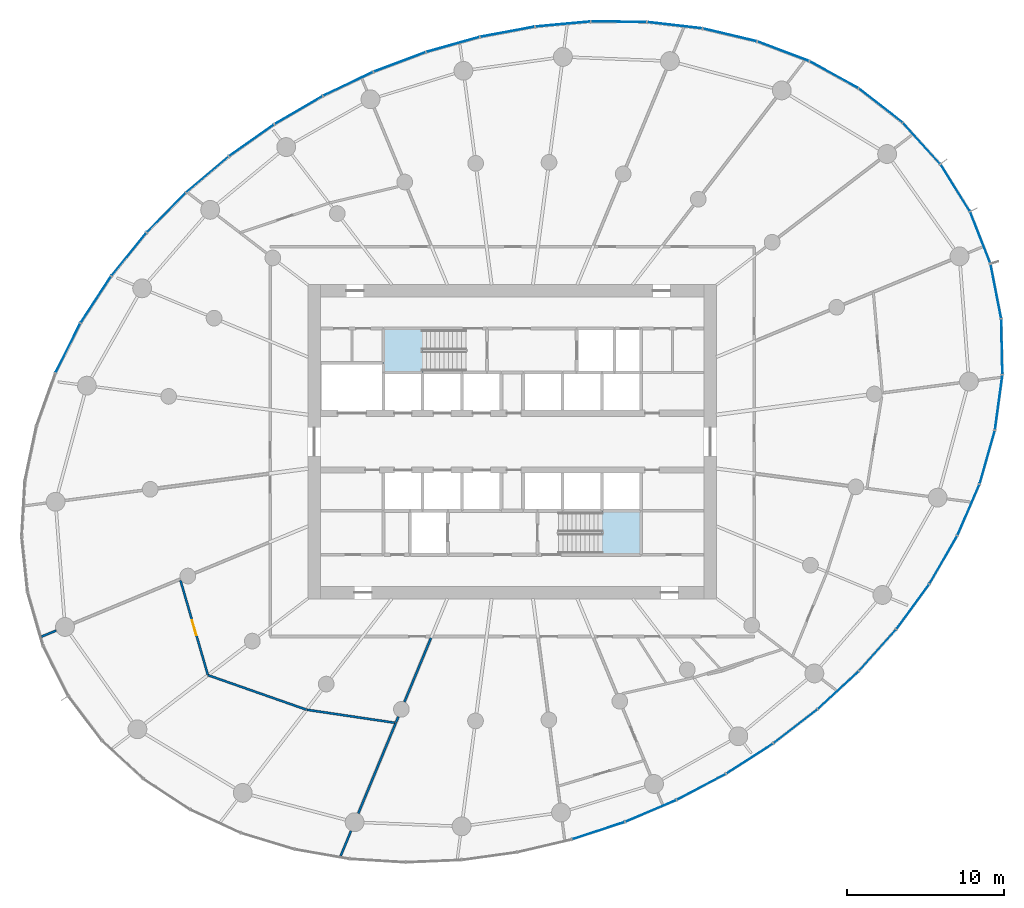
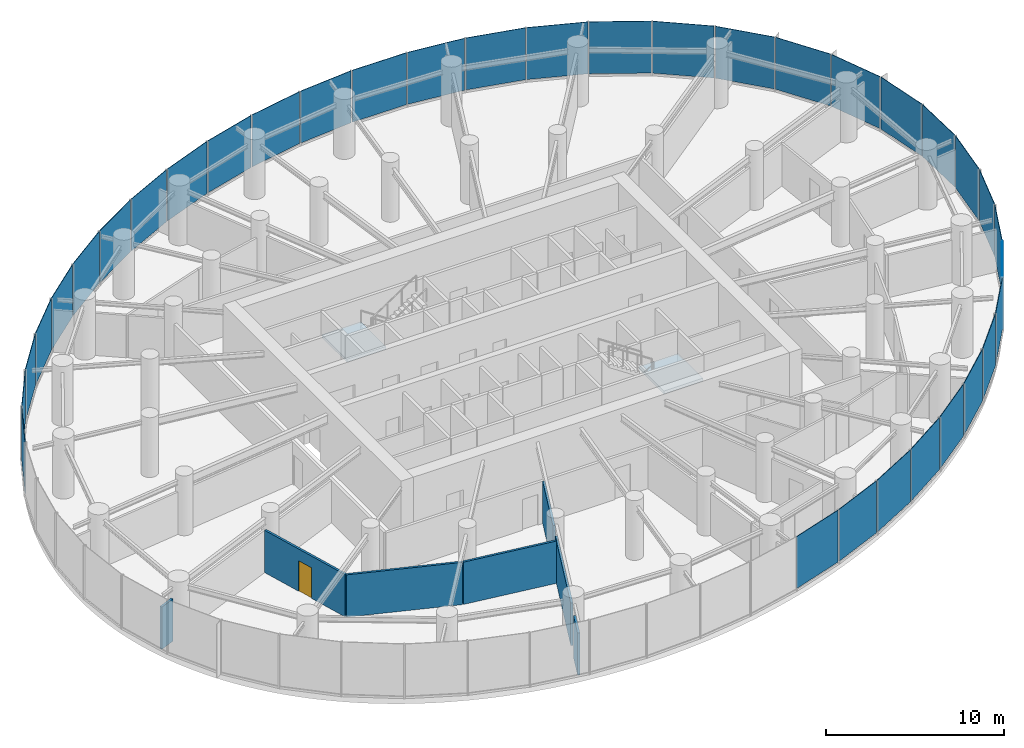
# One storey, part 9 of 17: 35 plates, 8 walls, 2 slabs, 1 door, 1 opening, 9 elements without a shape of their own.
"""IFC4 building model written with IfcOpenShell, lengths in metres."""

from ifc_helpers import new_model, si_unit, direction, frame, frame_2d, origin, origin_2d, place, context, subcontext, project, spatial, line, indexed_curve, rectangle, outline, extrude, source, transform, mapped, material, layer, layer_set, type_object, element, fill, aggregate, save


model = new_model("IFC4")

# Units and contexts
model_context = context("Model", 3, precision=1e-05, world=origin(), true_north=direction((0.0, 1.0)))
body_context = subcontext(model_context, "Body", "Model", "MODEL_VIEW")
ifc_project = project(units=[si_unit("LENGTHUNIT", "METRE"), si_unit("AREAUNIT", "SQUARE_METRE"), si_unit("VOLUMEUNIT", "CUBIC_METRE"), si_unit("PLANEANGLEUNIT", "RADIAN"), si_unit("MASSUNIT", "GRAM", prefix="KILO")], contexts=[model_context])

# Site, building, storey
site_placement = place(None, origin())
site = spatial("IfcSite", under=ifc_project, at=site_placement, CompositionType="ELEMENT")
building_placement = place(site_placement, origin())
building = spatial("IfcBuilding", under=site, at=building_placement, Name="Spindrift Exchange Tower", CompositionType="ELEMENT")
storey_placement = place(building_placement, frame((0.0, 0.0, 108.5)))
storey = spatial("IfcBuildingStorey", under=building, at=storey_placement, Name="L25", CompositionType="ELEMENT", Elevation=108.5)

# Stair, slab
ifc_material_1 = material(Name="Concrete 50 MPa", Category="concrete")
stair_type = type_object("IfcStairType", Name="ST-1250-R186", PredefinedType="HALF_TURN_STAIR", material=ifc_material_1)
stair_1_placement = place(storey_placement, origin())
stair_1 = element("IfcStair", 1, at=stair_1_placement, inside=storey, type_object=stair_type, Name="L25 Exit stair ST1", PredefinedType="HALF_TURN_STAIR")
ifc_layer_1 = layer(ifc_material_1, 0.199951171875)
ifc_layer_set_1 = layer_set([ifc_layer_1], Name="SL-LANDING")
slab_type = type_object("IfcSlabType", Name="SL-LANDING", PredefinedType="LANDING", material=ifc_layer_set_1)
slab_1_placement = place(storey_placement, frame((0.0, 0.0, 1.85009765625)))
slab_1 = element("IfcSlab", 2, at=slab_1_placement, type_object=slab_type, Name="ST1 landing 1", PredefinedType="LANDING", context=body_context, shape_type="SweptSolid", body=[
    extrude(outline(indexed_curve([(46.330078125, 52.39990234375), (43.800048828125, 52.39990234375), (43.800048828125, 55.199951171875), (46.330078125, 55.199951171875)], segments=[line(1, 2, 3, 4, 1)], self_intersect=False)), origin(), (0.0, 0.0, 1.0), 0.199951171875),
])
aggregate(stair_1, [slab_1])

stair_2_placement = place(storey_placement, origin())
stair_2 = element("IfcStair", 3, at=stair_2_placement, inside=storey, type_object=stair_type, Name="L25 Exit stair ST2", PredefinedType="HALF_TURN_STAIR")
slab_2_placement = place(storey_placement, frame((0.0, 0.0, 1.85009765625)))
slab_2 = element("IfcSlab", 4, at=slab_2_placement, type_object=slab_type, Name="ST2 landing 1", PredefinedType="LANDING", context=body_context, shape_type="SweptSolid", body=[
    extrude(outline(indexed_curve([(57.669921875, 43.60009765625), (60.199951171875, 43.60009765625), (60.199951171875, 40.800048828125), (57.669921875, 40.800048828125)], segments=[line(1, 2, 3, 4, 1)], self_intersect=False)), origin(), (0.0, 0.0, 1.0), 0.199951171875),
])
aggregate(stair_2, [slab_2])

# Curtain wall, plate
ifc_material_2 = material(Name="Fritted laminated glass with bronze frame", Category="glass")
ifc_layer_2 = layer(ifc_material_2, 0.18994140625)
ifc_layer_set_2 = layer_set([ifc_layer_2], Name="ZONE 2 BRONZE FRITTED WALL")
curtain_wall_type = type_object("IfcCurtainWallType", Name="ZONE 2 BRONZE FRITTED WALL", PredefinedType="NOTDEFINED", material=ifc_layer_set_2)
curtain_wall_1_placement = place(storey_placement, origin())
curtain_wall_1 = element("IfcCurtainWall", 5, at=curtain_wall_1_placement, inside=storey, type_object=curtain_wall_type, Name="L25 Zone 2 Bronze Fritted Wall run 3", PredefinedType="NOTDEFINED")
ifc_material_3 = material(Name="Bronze fritted laminated glass, close frit", Category="glass")
ifc_layer_3 = layer(ifc_material_3, 0.033935546875)
ifc_layer_set_3 = layer_set([ifc_layer_3], Name="ZONE 2 BRONZE FRITTED WALL PANEL CLOSE FRIT 420")
plate_type_1 = type_object("IfcPlateType", Name="ZONE 2 BRONZE FRITTED WALL PANEL CLOSE FRIT 420", PredefinedType="CURTAIN_PANEL", material=ifc_layer_set_3)
shared_shape_1 = source(origin(), body_context, "Body", "SweptSolid", [
    extrude(rectangle(XDim=3.491455078125, YDim=0.033935546875, at=origin_2d()), origin(), (0.0, 0.0, 1.0), 3.56005859375),
])
plate_1_placement = place(storey_placement, frame((32.593505859375, 64.991455078125, 0.139892578125), z_axis=(0.0, 0.0, 1.0), x_axis=(-0.763801661286, -0.645451022322, 0.0)))
plate_1 = element("IfcPlate", 6, at=plate_1_placement, type_object=plate_type_1, Name="L25 panel CW-2.16", PredefinedType="CURTAIN_PANEL", context=body_context, shape_type="MappedRepresentation", body=[
    mapped(shared_shape_1, transform((0.0, 0.0, 0.0), scale=1.0)),
])

curtain_wall_2_placement = place(storey_placement, origin())
curtain_wall_2 = element("IfcCurtainWall", 7, at=curtain_wall_2_placement, inside=storey, type_object=curtain_wall_type, Name="L25 Zone 2 Bronze Fritted Wall run 7", PredefinedType="NOTDEFINED")
plate_2_placement = place(storey_placement, frame((72.740966796875, 32.189208984375, 0.139892578125), z_axis=(0.0, 0.0, 1.0), x_axis=(0.733996623897, 0.679153116836, 0.0)))
plate_2 = element("IfcPlate", 8, at=plate_2_placement, type_object=plate_type_1, Name="L25 panel CW-2.42", PredefinedType="CURTAIN_PANEL", context=body_context, shape_type="MappedRepresentation", body=[
    mapped(shared_shape_1, transform((0.0, 0.0, 0.0), scale=1.0)),
])

# Curtain wall, plates
curtain_wall_3_placement = place(storey_placement, origin())
curtain_wall_3 = element("IfcCurtainWall", 9, at=curtain_wall_3_placement, inside=storey, type_object=curtain_wall_type, Name="L25 Zone 2 Bronze Fritted Wall run 2", PredefinedType="NOTDEFINED")
ifc_layer_4 = layer(ifc_material_3, 0.033935546875)
ifc_layer_set_4 = layer_set([ifc_layer_4], Name="ZONE 2 BRONZE FRITTED WALL PANEL CLOSE FRIT 300")
plate_type_2 = type_object("IfcPlateType", Name="ZONE 2 BRONZE FRITTED WALL PANEL CLOSE FRIT 300", PredefinedType="CURTAIN_PANEL", material=ifc_layer_set_4)
shared_shape_2 = source(origin(), body_context, "Body", "SweptSolid", [
    extrude(rectangle(XDim=3.491455078125, YDim=0.033935546875, at=origin_2d()), origin(), (0.0, 0.0, 1.0), 3.56005859375),
])
plate_3_placement = place(storey_placement, frame((55.22412109375, 74.5673828125, 0.139892578125), z_axis=(0.0, 0.0, 1.0), x_axis=(-0.995856987441, -0.09093327535, 0.0)))
plate_3 = element("IfcPlate", 10, at=plate_3_placement, type_object=plate_type_2, Name="L25 panel CW-2.9", PredefinedType="CURTAIN_PANEL", context=body_context, shape_type="MappedRepresentation", body=[
    mapped(shared_shape_2, transform((0.0, 0.0, 0.0), scale=1.0)),
])
plate_4_placement = place(storey_placement, frame((51.6953125, 74.078125, 0.139892578125), z_axis=(0.0, 0.0, 1.0), x_axis=(-0.983016800701, -0.183515583914, 0.0)))
plate_4 = element("IfcPlate", 11, at=plate_4_placement, type_object=plate_type_2, Name="L25 panel CW-2.10", PredefinedType="CURTAIN_PANEL", context=body_context, shape_type="MappedRepresentation", body=[
    mapped(shared_shape_2, transform((0.0, 0.0, 0.0), scale=1.0)),
])
shared_shape_3 = source(origin(), body_context, "Body", "SweptSolid", [
    extrude(rectangle(XDim=3.49169921875, YDim=0.033935546875, at=origin_2d()), origin(), (0.0, 0.0, 1.0), 3.56005859375),
])
plate_5_placement = place(storey_placement, frame((48.225341796875, 73.26904296875, 0.139892578125), z_axis=(0.0, 0.0, 1.0), x_axis=(-0.962788503614, -0.270255984779, 0.0)))
plate_5 = element("IfcPlate", 12, at=plate_5_placement, type_object=plate_type_1, Name="L25 panel CW-2.11", PredefinedType="CURTAIN_PANEL", context=body_context, shape_type="MappedRepresentation", body=[
    mapped(shared_shape_3, transform((0.0, 0.0, 0.0), scale=1.0)),
])

# Plate
plate_6_placement = place(storey_placement, frame((38.410400390625, 69.097412109375, 0.139892578125), z_axis=(0.0, 0.0, 1.0), x_axis=(-0.863390267159, -0.504536665244, 0.0)))
plate_6 = element("IfcPlate", 13, at=plate_6_placement, type_object=plate_type_1, Name="L25 panel CW-2.14", PredefinedType="CURTAIN_PANEL", context=body_context, shape_type="MappedRepresentation", body=[
    mapped(shared_shape_3, transform((0.0, 0.0, 0.0), scale=1.0)),
])

plate_7_placement = place(storey_placement, frame((57.479736328125, 23.24951171875, 0.139892578125), z_axis=(0.0, 0.0, 1.0), x_axis=(0.950164301143, 0.311749580326, 0.0)))
plate_7 = element("IfcPlate", 14, at=plate_7_placement, type_object=plate_type_1, Name="L25 panel CW-2.37", PredefinedType="CURTAIN_PANEL", context=body_context, shape_type="MappedRepresentation", body=[
    mapped(shared_shape_3, transform((0.0, 0.0, 0.0), scale=1.0)),
])

plate_8_placement = place(storey_placement, frame((70.0205078125, 29.888427734375, 0.139892578125), z_axis=(0.0, 0.0, 1.0), x_axis=(0.79152762014, 0.611133395059, 0.0)))
plate_8 = element("IfcPlate", 15, at=plate_8_placement, type_object=plate_type_1, Name="L25 panel CW-2.41", PredefinedType="CURTAIN_PANEL", context=body_context, shape_type="MappedRepresentation", body=[
    mapped(shared_shape_3, transform((0.0, 0.0, 0.0), scale=1.0)),
])

shared_shape_4 = source(origin(), body_context, "Body", "SweptSolid", [
    extrude(rectangle(XDim=3.49169921875, YDim=0.033935546875, at=origin_2d()), origin(), (0.0, 0.0, 1.0), 3.56005859375),
])
plate_9_placement = place(storey_placement, frame((64.0322265625, 26.035888671875, 0.139892578125), z_axis=(0.0, 0.0, 1.0), x_axis=(0.883906877446, 0.467662947007, 0.0)))
plate_9 = element("IfcPlate", 16, at=plate_9_placement, type_object=plate_type_2, Name="L25 panel CW-2.39", PredefinedType="CURTAIN_PANEL", context=body_context, shape_type="MappedRepresentation", body=[
    mapped(shared_shape_4, transform((0.0, 0.0, 0.0), scale=1.0)),
])

ifc_layer_5 = layer(ifc_material_3, 0.033935546875)
ifc_layer_set_5 = layer_set([ifc_layer_5], Name="ZONE 2 BRONZE FRITTED WALL PANEL CLOSE FRIT 540")
plate_type_3 = type_object("IfcPlateType", Name="ZONE 2 BRONZE FRITTED WALL PANEL CLOSE FRIT 540", PredefinedType="CURTAIN_PANEL", material=ifc_layer_set_5)
shared_shape_5 = source(origin(), body_context, "Body", "SweptSolid", [
    extrude(rectangle(XDim=3.49169921875, YDim=0.033935546875, at=origin_2d()), origin(), (0.0, 0.0, 1.0), 3.56005859375),
])
plate_10_placement = place(storey_placement, frame((44.83935546875, 72.158935546875, 0.139892578125), z_axis=(0.0, 0.0, 1.0), x_axis=(-0.935944038401, -0.352148771092, 0.0)))
plate_10 = element("IfcPlate", 17, at=plate_10_placement, type_object=plate_type_3, Name="L25 panel CW-2.12", PredefinedType="CURTAIN_PANEL", context=body_context, shape_type="MappedRepresentation", body=[
    mapped(shared_shape_5, transform((0.0, 0.0, 0.0), scale=1.0)),
])

plate_11_placement = place(storey_placement, frame((41.560302734375, 70.76416015625, 0.139892578125), z_axis=(0.0, 0.0, 1.0), x_axis=(-0.902825586322, -0.43000693097, 0.0)))
plate_11 = element("IfcPlate", 18, at=plate_11_placement, type_object=plate_type_3, Name="L25 panel CW-2.13", PredefinedType="CURTAIN_PANEL", context=body_context, shape_type="MappedRepresentation", body=[
    mapped(shared_shape_5, transform((0.0, 0.0, 0.0), scale=1.0)),
])

plate_12_placement = place(storey_placement, frame((35.4130859375, 67.170166015625, 0.139892578125), z_axis=(0.0, 0.0, 1.0), x_axis=(-0.817277677121, -0.576244044204, 0.0)))
plate_12 = element("IfcPlate", 19, at=plate_12_placement, type_object=plate_type_3, Name="L25 panel CW-2.15", PredefinedType="CURTAIN_PANEL", context=body_context, shape_type="MappedRepresentation", body=[
    mapped(shared_shape_5, transform((0.0, 0.0, 0.0), scale=1.0)),
])

plate_13_placement = place(storey_placement, frame((60.81494140625, 24.503662109375, 0.139892578125), z_axis=(0.0, 0.0, 1.0), x_axis=(0.920160108943, 0.391542301558, 0.0)))
plate_13 = element("IfcPlate", 20, at=plate_13_placement, type_object=plate_type_3, Name="L25 panel CW-2.38", PredefinedType="CURTAIN_PANEL", context=body_context, shape_type="MappedRepresentation", body=[
    mapped(shared_shape_5, transform((0.0, 0.0, 0.0), scale=1.0)),
])

plate_14_placement = place(storey_placement, frame((67.10888671875, 27.834228515625, 0.139892578125), z_axis=(0.0, 0.0, 1.0), x_axis=(0.841199486299, 0.540724906261, 0.0)))
plate_14 = element("IfcPlate", 21, at=plate_14_placement, type_object=plate_type_3, Name="L25 panel CW-2.40", PredefinedType="CURTAIN_PANEL", context=body_context, shape_type="MappedRepresentation", body=[
    mapped(shared_shape_5, transform((0.0, 0.0, 0.0), scale=1.0)),
])

aggregate(curtain_wall_2, [plate_7, plate_13, plate_9, plate_14, plate_8, plate_2])

shared_shape_6 = source(origin(), body_context, "Body", "SweptSolid", [
    extrude(rectangle(XDim=3.4912109375, YDim=0.033935546875, at=origin_2d()), origin(), (0.0, 0.0, 1.0), 3.56005859375),
])
plate_15_placement = place(storey_placement, frame((27.6044921875, 59.915771484375, 0.139892578125), z_axis=(0.0, 0.0, 1.0), x_axis=(-0.630232797468, -0.776406221636, 0.0)))
plate_15 = element("IfcPlate", 22, at=plate_15_placement, type_object=plate_type_2, Name="L25 panel CW-2.18", PredefinedType="CURTAIN_PANEL", context=body_context, shape_type="MappedRepresentation", body=[
    mapped(shared_shape_6, transform((0.0, 0.0, 0.0), scale=1.0)),
])

# Curtain wall, plate
curtain_wall_4_placement = place(storey_placement, origin())
curtain_wall_4 = element("IfcCurtainWall", 23, at=curtain_wall_4_placement, inside=storey, type_object=curtain_wall_type, Name="L25 Zone 2 Bronze Fritted Wall run 4", PredefinedType="NOTDEFINED")
shared_shape_7 = source(origin(), body_context, "Body", "SweptSolid", [
    extrude(rectangle(XDim=3.49072265625, YDim=0.033935546875, at=origin_2d()), origin(), (0.0, 0.0, 1.0), 3.56005859375),
])
plate_16_placement = place(storey_placement, frame((23.727783203125, 53.953857421875, 0.139892578125), z_axis=(0.0, 0.0, 1.0), x_axis=(-0.450037656846, -0.893009578571, 0.0)))
plate_16 = element("IfcPlate", 24, at=plate_16_placement, type_object=plate_type_1, Name="L25 panel CW-2.20", PredefinedType="CURTAIN_PANEL", context=body_context, shape_type="MappedRepresentation", body=[
    mapped(shared_shape_7, transform((0.0, 0.0, 0.0), scale=1.0)),
])

curtain_wall_5_placement = place(storey_placement, origin())
curtain_wall_5 = element("IfcCurtainWall", 25, at=curtain_wall_5_placement, inside=storey, type_object=curtain_wall_type, Name="L25 Zone 2 Bronze Fritted Wall run 8", PredefinedType="NOTDEFINED")
plate_17_placement = place(storey_placement, frame((79.426513671875, 40.47900390625, 0.139892578125), z_axis=(0.0, 0.0, 1.0), x_axis=(0.50033400418, 0.865832480484, 0.0)))
plate_17 = element("IfcPlate", 26, at=plate_17_placement, type_object=plate_type_1, Name="L25 panel CW-2.45", PredefinedType="CURTAIN_PANEL", context=body_context, shape_type="MappedRepresentation", body=[
    mapped(shared_shape_7, transform((0.0, 0.0, 0.0), scale=1.0)),
])

curtain_wall_6_placement = place(storey_placement, origin())
curtain_wall_6 = element("IfcCurtainWall", 27, at=curtain_wall_6_placement, inside=storey, type_object=curtain_wall_type, Name="L25 Zone 2 Bronze Fritted Wall run 1", PredefinedType="NOTDEFINED")
shared_shape_8 = source(origin(), body_context, "Body", "SweptSolid", [
    extrude(rectangle(XDim=3.48779296875, YDim=0.033935546875, at=origin_2d()), origin(), (0.0, 0.0, 1.0), 3.56005859375),
])
plate_18_placement = place(storey_placement, frame((80.18505859375, 64.145751953125, 0.139892578125), z_axis=(0.0, 0.0, 1.0), x_axis=(-0.529282662104, 0.848445557238, 0.0)))
plate_18 = element("IfcPlate", 28, at=plate_18_placement, type_object=plate_type_1, Name="L25 panel CW-2.1", PredefinedType="CURTAIN_PANEL", context=body_context, shape_type="MappedRepresentation", body=[
    mapped(shared_shape_8, transform((0.0, 0.0, 0.0), scale=1.0)),
])

curtain_wall_7_placement = place(storey_placement, origin())
curtain_wall_7 = element("IfcCurtainWall", 29, at=curtain_wall_7_placement, inside=storey, type_object=curtain_wall_type, Name="L25 Zone 2 Bronze Fritted Wall run 9", PredefinedType="NOTDEFINED")
shared_shape_9 = source(origin(), body_context, "Body", "SweptSolid", [
    extrude(rectangle(XDim=3.48779296875, YDim=0.033935546875, at=origin_2d()), origin(), (0.0, 0.0, 1.0), 3.56005859375),
])
plate_19_placement = place(storey_placement, frame((81.777587890625, 60.9755859375, 0.139892578125), z_axis=(0.0, 0.0, 1.0), x_axis=(-0.364805283308, 0.931083833643, 0.0)))
plate_19 = element("IfcPlate", 30, at=plate_19_placement, type_object=plate_type_2, Name="L25 panel CW-2.51", PredefinedType="CURTAIN_PANEL", context=body_context, shape_type="MappedRepresentation", body=[
    mapped(shared_shape_9, transform((0.0, 0.0, 0.0), scale=1.0)),
])

# Plate
shared_shape_10 = source(origin(), body_context, "Body", "SweptSolid", [
    extrude(rectangle(XDim=3.4912109375, YDim=0.033935546875, at=origin_2d()), origin(), (0.0, 0.0, 1.0), 3.56005859375),
])
plate_20_placement = place(storey_placement, frame((58.78271484375, 74.714599609375, 0.139892578125), z_axis=(0.0, 0.0, 1.0), x_axis=(-0.999964849768, 0.008384463487, 0.0)))
plate_20 = element("IfcPlate", 31, at=plate_20_placement, type_object=plate_type_1, Name="L25 panel CW-2.8", PredefinedType="CURTAIN_PANEL", context=body_context, shape_type="MappedRepresentation", body=[
    mapped(shared_shape_10, transform((0.0, 0.0, 0.0), scale=1.0)),
])

plate_21_placement = place(storey_placement, frame((77.482421875, 37.495849609375, 0.139892578125), z_axis=(0.0, 0.0, 1.0), x_axis=(0.590160519803, 0.807285922623, 0.0)))
plate_21 = element("IfcPlate", 32, at=plate_21_placement, type_object=plate_type_1, Name="L25 panel CW-2.44", PredefinedType="CURTAIN_PANEL", context=body_context, shape_type="MappedRepresentation", body=[
    mapped(shared_shape_10, transform((0.0, 0.0, 0.0), scale=1.0)),
])

shared_shape_11 = source(origin(), body_context, "Body", "SweptSolid", [
    extrude(rectangle(XDim=3.491455078125, YDim=0.033935546875, at=origin_2d()), origin(), (0.0, 0.0, 1.0), 3.56005859375),
])
plate_22_placement = place(storey_placement, frame((29.97998046875, 62.5703125, 0.139892578125), z_axis=(0.0, 0.0, 1.0), x_axis=(-0.701929328769, -0.712246598738, 0.0)))
plate_22 = element("IfcPlate", 33, at=plate_22_placement, type_object=plate_type_3, Name="L25 panel CW-2.17", PredefinedType="CURTAIN_PANEL", context=body_context, shape_type="MappedRepresentation", body=[
    mapped(shared_shape_11, transform((0.0, 0.0, 0.0), scale=1.0)),
])

aggregate(curtain_wall_1, [plate_11, plate_6, plate_12, plate_1, plate_22, plate_15])

plate_23_placement = place(storey_placement, frame((75.239990234375, 34.728271484375, 0.139892578125), z_axis=(0.0, 0.0, 1.0), x_axis=(0.667397253325, 0.744701890863, 0.0)))
plate_23 = element("IfcPlate", 34, at=plate_23_placement, type_object=plate_type_3, Name="L25 panel CW-2.43", PredefinedType="CURTAIN_PANEL", context=body_context, shape_type="MappedRepresentation", body=[
    mapped(shared_shape_11, transform((0.0, 0.0, 0.0), scale=1.0)),
])

shared_shape_12 = source(origin(), body_context, "Body", "SweptSolid", [
    extrude(rectangle(XDim=3.490478515625, YDim=0.033935546875, at=origin_2d()), origin(), (0.0, 0.0, 1.0), 3.56005859375),
])
plate_24_placement = place(storey_placement, frame((65.842529296875, 73.877197265625, 0.139892578125), z_axis=(0.0, 0.0, 1.0), x_axis=(-0.973036149037, 0.230652666724, 0.0)))
plate_24 = element("IfcPlate", 35, at=plate_24_placement, type_object=plate_type_1, Name="L25 panel CW-2.6", PredefinedType="CURTAIN_PANEL", context=body_context, shape_type="MappedRepresentation", body=[
    mapped(shared_shape_12, transform((0.0, 0.0, 0.0), scale=1.0)),
])

shared_shape_13 = source(origin(), body_context, "Body", "SweptSolid", [
    extrude(rectangle(XDim=3.489990234375, YDim=0.033935546875, at=origin_2d()), origin(), (0.0, 0.0, 1.0), 3.56005859375),
])
plate_25_placement = place(storey_placement, frame((69.244384765625, 72.835205078125, 0.139892578125), z_axis=(0.0, 0.0, 1.0), x_axis=(-0.935288474001, 0.35388623935, 0.0)))
plate_25 = element("IfcPlate", 36, at=plate_25_placement, type_object=plate_type_1, Name="L25 panel CW-2.5", PredefinedType="CURTAIN_PANEL", context=body_context, shape_type="MappedRepresentation", body=[
    mapped(shared_shape_13, transform((0.0, 0.0, 0.0), scale=1.0)),
])

plate_26_placement = place(storey_placement, frame((82.218994140625, 47.01123046875, 0.139892578125), z_axis=(0.0, 0.0, 1.0), x_axis=(0.274353656119, 0.961628863634, 0.0)))
plate_26 = element("IfcPlate", 37, at=plate_26_placement, type_object=plate_type_1, Name="L25 panel CW-2.47", PredefinedType="CURTAIN_PANEL", context=body_context, shape_type="MappedRepresentation", body=[
    mapped(shared_shape_13, transform((0.0, 0.0, 0.0), scale=1.0)),
])

shared_shape_14 = source(origin(), body_context, "Body", "SweptSolid", [
    extrude(rectangle(XDim=3.488037109375, YDim=0.033935546875, at=origin_2d()), origin(), (0.0, 0.0, 1.0), 3.56005859375),
])
plate_27_placement = place(storey_placement, frame((78.04296875, 66.974609375, 0.139892578125), z_axis=(0.0, 0.0, 1.0), x_axis=(-0.673096417665, 0.739554739371, 0.0)))
plate_27 = element("IfcPlate", 38, at=plate_27_placement, type_object=plate_type_3, Name="L25 panel CW-2.2", PredefinedType="CURTAIN_PANEL", context=body_context, shape_type="MappedRepresentation", body=[
    mapped(shared_shape_14, transform((0.0, 0.0, 0.0), scale=1.0)),
])

plate_28_placement = place(storey_placement, frame((82.768798828125, 57.568603515625, 0.139892578125), z_axis=(0.0, 0.0, 1.0), x_axis=(-0.191547357518, 0.981483372161, 0.0)))
plate_28 = element("IfcPlate", 39, at=plate_28_placement, type_object=plate_type_3, Name="L25 panel CW-2.50", PredefinedType="CURTAIN_PANEL", context=body_context, shape_type="MappedRepresentation", body=[
    mapped(shared_shape_14, transform((0.0, 0.0, 0.0), scale=1.0)),
])

shared_shape_15 = source(origin(), body_context, "Body", "SweptSolid", [
    extrude(rectangle(XDim=3.489501953125, YDim=0.033935546875, at=origin_2d()), origin(), (0.0, 0.0, 1.0), 3.56005859375),
])
plate_29_placement = place(storey_placement, frame((72.471923828125, 71.343017578125, 0.139892578125), z_axis=(0.0, 0.0, 1.0), x_axis=(-0.875453561445, 0.483302246791, 0.0)))
plate_29 = element("IfcPlate", 40, at=plate_29_placement, type_object=plate_type_1, Name="L25 panel CW-2.4", PredefinedType="CURTAIN_PANEL", context=body_context, shape_type="MappedRepresentation", body=[
    mapped(shared_shape_15, transform((0.0, 0.0, 0.0), scale=1.0)),
])

shared_shape_16 = source(origin(), body_context, "Body", "SweptSolid", [
    extrude(rectangle(XDim=3.48876953125, YDim=0.033935546875, at=origin_2d()), origin(), (0.0, 0.0, 1.0), 3.56005859375),
])
plate_30_placement = place(storey_placement, frame((75.43798828125, 69.386962890625, 0.139892578125), z_axis=(0.0, 0.0, 1.0), x_axis=(-0.789005812945, 0.614385731555, 0.0)))
plate_30 = element("IfcPlate", 41, at=plate_30_placement, type_object=plate_type_2, Name="L25 panel CW-2.3", PredefinedType="CURTAIN_PANEL", context=body_context, shape_type="MappedRepresentation", body=[
    mapped(shared_shape_16, transform((0.0, 0.0, 0.0), scale=1.0)),
])

aggregate(curtain_wall_6, [plate_18, plate_27, plate_30, plate_29, plate_25, plate_24])

plate_31_placement = place(storey_placement, frame((83.149169921875, 54.03857421875, 0.139892578125), z_axis=(0.0, 0.0, 1.0), x_axis=(-0.021971927017, 0.999758588072, 0.0)))
plate_31 = element("IfcPlate", 42, at=plate_31_placement, type_object=plate_type_2, Name="L25 panel CW-2.49", PredefinedType="CURTAIN_PANEL", context=body_context, shape_type="MappedRepresentation", body=[
    mapped(shared_shape_16, transform((0.0, 0.0, 0.0), scale=1.0)),
])

aggregate(curtain_wall_7, [plate_31, plate_28, plate_19])

shared_shape_17 = source(origin(), body_context, "Body", "SweptSolid", [
    extrude(rectangle(XDim=3.490478515625, YDim=0.033935546875, at=origin_2d()), origin(), (0.0, 0.0, 1.0), 3.56005859375),
])
plate_32_placement = place(storey_placement, frame((81.024169921875, 43.659912109375, 0.139892578125), z_axis=(0.0, 0.0, 1.0), x_axis=(0.39576349824, 0.9183524669, 0.0)))
plate_32 = element("IfcPlate", 43, at=plate_32_placement, type_object=plate_type_3, Name="L25 panel CW-2.46", PredefinedType="CURTAIN_PANEL", context=body_context, shape_type="MappedRepresentation", body=[
    mapped(shared_shape_17, transform((0.0, 0.0, 0.0), scale=1.0)),
])

shared_shape_18 = source(origin(), body_context, "Body", "SweptSolid", [
    extrude(rectangle(XDim=3.490966796875, YDim=0.033935546875, at=origin_2d()), origin(), (0.0, 0.0, 1.0), 3.56005859375),
])
plate_33_placement = place(storey_placement, frame((62.3369140625, 74.494140625, 0.139892578125), z_axis=(0.0, 0.0, 1.0), x_axis=(-0.993322520247, 0.115370580174, 0.0)))
plate_33 = element("IfcPlate", 44, at=plate_33_placement, type_object=plate_type_1, Name="L25 panel CW-2.7", PredefinedType="CURTAIN_PANEL", context=body_context, shape_type="MappedRepresentation", body=[
    mapped(shared_shape_18, transform((0.0, 0.0, 0.0), scale=1.0)),
])

aggregate(curtain_wall_3, [plate_33, plate_20, plate_3, plate_4, plate_5, plate_10])

plate_34_placement = place(storey_placement, frame((25.50537109375, 57.038818359375, 0.139892578125), z_axis=(0.0, 0.0, 1.0), x_axis=(-0.546936545922, -0.837174064777, 0.0)))
plate_34 = element("IfcPlate", 45, at=plate_34_placement, type_object=plate_type_1, Name="L25 panel CW-2.19", PredefinedType="CURTAIN_PANEL", context=body_context, shape_type="MappedRepresentation", body=[
    mapped(shared_shape_18, transform((0.0, 0.0, 0.0), scale=1.0)),
])

aggregate(curtain_wall_4, [plate_34, plate_16])

shared_shape_19 = source(origin(), body_context, "Body", "SweptSolid", [
    extrude(rectangle(XDim=3.4892578125, YDim=0.033935546875, at=origin_2d()), origin(), (0.0, 0.0, 1.0), 3.56005859375),
])
plate_35_placement = place(storey_placement, frame((82.947998046875, 50.4912109375, 0.139892578125), z_axis=(0.0, 0.0, 1.0), x_axis=(0.134807695464, 0.990871780425, 0.0)))
plate_35 = element("IfcPlate", 46, at=plate_35_placement, type_object=plate_type_2, Name="L25 panel CW-2.48", PredefinedType="CURTAIN_PANEL", context=body_context, shape_type="MappedRepresentation", body=[
    mapped(shared_shape_19, transform((0.0, 0.0, 0.0), scale=1.0)),
])

aggregate(curtain_wall_5, [plate_23, plate_21, plate_17, plate_32, plate_26, plate_35])

# Wall
ifc_material_4 = material(Name="Fire-rated plasterboard partition", Category="gypsum")
ifc_layer_6 = layer(ifc_material_4, 0.139892578125)
ifc_layer_set_6 = layer_set([ifc_layer_6], Name="W-PLANT-140")
wall_type = type_object("IfcWallType", Name="W-PLANT-140", PredefinedType="PARTITIONING", material=ifc_layer_set_6)
wall_1_placement = place(storey_placement, frame((32.63916015625, 33.143798828125, 0.0), z_axis=(0.0, 0.0, 1.0), x_axis=(0.943712844309, -0.330765880173, 0.0)))
element("IfcWall", 47, at=wall_1_placement, inside=storey, type_object=wall_type, Name="L25 Partition wall 70", PredefinedType="PARTITIONING", context=body_context, shape_type="SweptSolid", body=[
    extrude(rectangle(XDim=6.648193359375, YDim=0.139892578125, at=frame_2d((3.32421875, 0.0))), origin(), (0.0, 0.0, 1.0), 2.89990234375),
])

# Wall, opening, door
wall_2_placement = place(storey_placement, frame((32.630859375, 33.172607421875, 0.0), z_axis=(0.0, 0.0, 1.0), x_axis=(-0.278343340878, 0.960481641984, 0.0)))
wall_2 = element("IfcWall", 48, at=wall_2_placement, inside=storey, type_object=wall_type, Name="L25 Partition wall 72", PredefinedType="PARTITIONING", context=body_context, shape_type="SweptSolid", body=[
    extrude(rectangle(XDim=6.254638671875, YDim=0.139892578125, at=frame_2d((3.12744140625, 0.0))), origin(), (0.0, 0.0, 1.0), 2.89990234375),
])
opening_placement = place(wall_2_placement, frame((2.6044921875, 0.0, 0.0)))
opening = element("IfcOpeningElement", 49, at=opening_placement, cuts=wall_2, Name="Opening L25-D42", PredefinedType="OPENING", context=body_context, shape_type="SweptSolid", body=[
    extrude(rectangle(XDim=1.0, YDim=2.10009765625, at=frame_2d((0.5, 1.050048828125))), frame((0.0, 0.079833984375, 0.0), z_axis=(0.0, -1.0, 0.0), x_axis=(1.0, 0.0, 0.0)), (0.0, 0.0, 1.0), 0.159912109375),
])
ifc_material_5 = material(Name="Timber-core fire door", Category="wood")
door_type = type_object("IfcDoorType", Name="DR-ROOM-1000", OperationType="NOTDEFINED", PredefinedType="DOOR", material=ifc_material_5)
shared_shape_20 = source(origin(), body_context, "Body", "SweptSolid", [
    extrude(rectangle(XDim=1.0, YDim=2.10009765625, at=frame_2d((0.5, 1.050048828125))), frame((0.0, 0.02490234375, 0.0), z_axis=(0.0, -1.0, 0.0), x_axis=(1.0, 0.0, 0.0)), (0.0, 0.0, 1.0), 0.050048828125),
])
door_placement = place(opening_placement, origin())
door = element("IfcDoor", 50, at=door_placement, inside=storey, type_object=door_type, Name="L25 Door 42", OperationType="SINGLE_SWING_RIGHT", OverallHeight=2.10009765625, OverallWidth=1.0, PredefinedType="DOOR", context=body_context, shape_type="MappedRepresentation", body=[
    mapped(shared_shape_20, transform((0.0, 0.0, 0.0), scale=1.0)),
])
fill(opening, door)

# Walls
wall_3_placement = place(storey_placement, frame((44.587890625, 30.105712890625, 0.0), z_axis=(0.0, 0.0, 1.0), x_axis=(-0.382687319502, -0.923877922397, 0.0)))
element("IfcWall", 51, at=wall_3_placement, inside=storey, type_object=wall_type, Name="L25 Partition wall 73", PredefinedType="PARTITIONING", context=body_context, shape_type="SweptSolid", body=[
    extrude(rectangle(XDim=6.233642578125, YDim=0.139892578125, at=frame_2d((3.11669921875, 0.0))), origin(), (0.0, 0.0, 1.0), 2.89990234375),
])
wall_4_placement = place(storey_placement, frame((38.94287109375, 30.9404296875, 0.0), z_axis=(0.0, 0.0, 1.0), x_axis=(0.98924251215, -0.146284832283, 0.0)))
element("IfcWall", 52, at=wall_4_placement, inside=storey, type_object=wall_type, Name="L25 Partition wall 80", PredefinedType="PARTITIONING", context=body_context, shape_type="SweptSolid", body=[
    extrude(rectangle(XDim=5.63427734375, YDim=0.139892578125, at=frame_2d((2.817138671875, 0.0))), origin(), (0.0, 0.0, 1.0), 2.89990234375),
])
wall_5_placement = place(storey_placement, frame((46.826416015625, 35.510009765625, 0.0), z_axis=(0.0, 0.0, 1.0), x_axis=(-0.382672831764, -0.923883923353, 0.0)))
element("IfcWall", 53, at=wall_5_placement, inside=storey, type_object=wall_type, Name="L25 Partition wall 91", PredefinedType="PARTITIONING", context=body_context, shape_type="SweptSolid", body=[
    extrude(rectangle(XDim=4.410400390625, YDim=0.139892578125, at=frame_2d((2.205078125, 0.0))), origin(), (0.0, 0.0, 1.0), 2.89990234375),
])
wall_6_placement = place(storey_placement, frame((41.739501953125, 23.22900390625, 0.0), z_axis=(0.0, 0.0, 1.0), x_axis=(-0.382769756697, -0.923843771077, 0.0)))
element("IfcWall", 54, at=wall_6_placement, inside=storey, type_object=wall_type, Name="L25 Partition wall 110", PredefinedType="PARTITIONING", context=body_context, shape_type="SweptSolid", body=[
    extrude(rectangle(XDim=1.719482421875, YDim=0.139892578125, at=frame_2d((0.85986328125, 0.0))), origin(), (0.0, 0.0, 1.0), 2.89990234375),
])
wall_7_placement = place(storey_placement, frame((22.985595703125, 35.981689453125, 0.0), z_axis=(0.0, 0.0, 1.0), x_axis=(-0.923909071339, -0.38261211154, 0.0)))
element("IfcWall", 55, at=wall_7_placement, inside=storey, type_object=wall_type, Name="L25 Partition wall 122", PredefinedType="PARTITIONING", context=body_context, shape_type="SweptSolid", body=[
    extrude(rectangle(XDim=1.021484375, YDim=0.139892578125, at=frame_2d((0.5107421875, 0.0))), origin(), (0.0, 0.0, 1.0), 2.89990234375),
])
wall_8_placement = place(storey_placement, frame((44.752197265625, 30.502197265625, 0.0), z_axis=(0.0, 0.0, 1.0), x_axis=(-0.382441868588, -0.923979554509, 0.0)))
element("IfcWall", 56, at=wall_8_placement, inside=storey, type_object=wall_type, Name="L25 Partition wall 128", PredefinedType="PARTITIONING", context=body_context, shape_type="SweptSolid", body=[
    extrude(rectangle(XDim=0.39892578125, YDim=0.139892578125, at=frame_2d((0.199462890625, 0.0))), origin(), (0.0, 0.0, 1.0), 2.89990234375),
])

save(model, "model.ifc")
